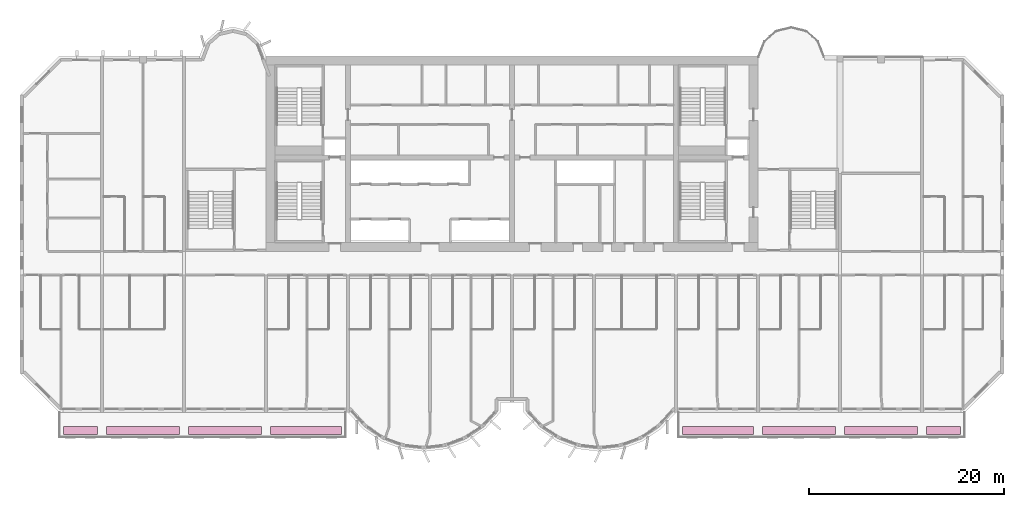
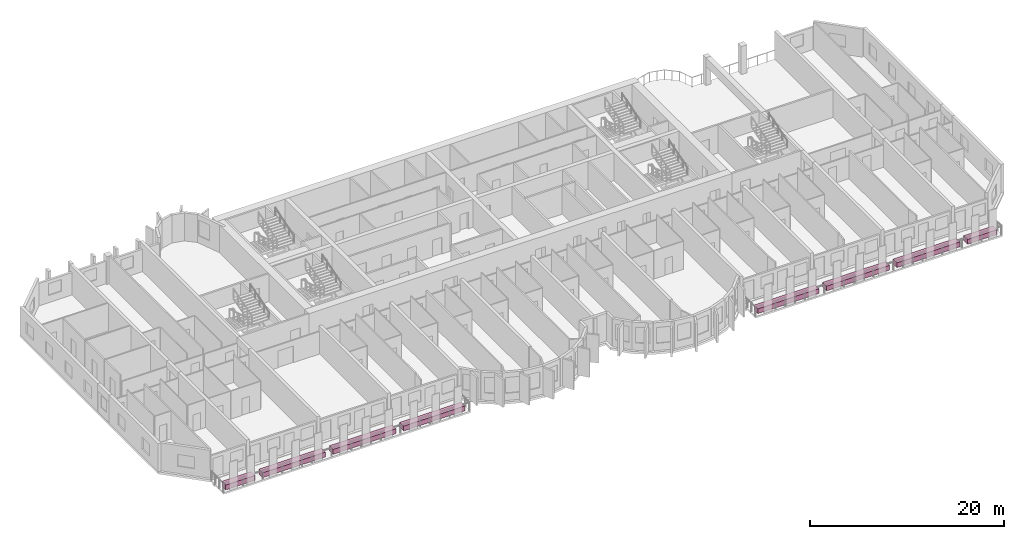
# One storey, part 15 of 15: 8 furniture elements.
"""IFC4 building model written with IfcOpenShell, lengths in metres."""

from ifc_helpers import new_model, si_unit, direction, frame, origin, origin_2d, place, context, subcontext, project, spatial, rectangle, extrude, source, transform, mapped, material, type_object, element, save


model = new_model("IFC4")

# Units and contexts
model_context = context("Model", 3, precision=1e-05, world=origin(), true_north=direction((0.0, 1.0)))
body_context = subcontext(model_context, "Body", "Model", "MODEL_VIEW")
ifc_project = project(units=[si_unit("LENGTHUNIT", "METRE"), si_unit("AREAUNIT", "SQUARE_METRE"), si_unit("VOLUMEUNIT", "CUBIC_METRE"), si_unit("PLANEANGLEUNIT", "RADIAN"), si_unit("MASSUNIT", "GRAM", prefix="KILO")], contexts=[model_context])

# Site, building, storey
site_placement = place(None, origin())
site = spatial("IfcSite", under=ifc_project, at=site_placement, CompositionType="ELEMENT")
building_placement = place(site_placement, origin())
building = spatial("IfcBuilding", under=site, at=building_placement, Name="Vanashikhar Sky Hotel", CompositionType="ELEMENT")
storey_placement = place(building_placement, frame((0.0, 0.0, 91.39990234375)))
storey = spatial("IfcBuildingStorey", under=building, at=storey_placement, Name="L21", CompositionType="ELEMENT", Elevation=91.39990234375)

# Furniture
ifc_material = material(Name="Planting soil and shrubs")
furniture_type = type_object("IfcFurnitureType", Name="Planter trough", AssemblyPlace="NOTDEFINED", PredefinedType="USERDEFINED", material=ifc_material)
shared_shape_1 = source(origin(), body_context, "Body", "SweptSolid", [
    extrude(rectangle(XDim=3.5, YDim=0.800048828125, at=origin_2d()), origin(), (0.0, 0.0, 1.0), 0.60009765625),
])
for number, where, z_axis, x_axis, name in (
    (1, (6.199951171875, 3.64990234375, -0.050048828125), (0.0, 0.0, 1.0), (1.0, 0.0, 0.0), "PLANTER with climbers"),
    (2, (94.60009765625, 3.64990234375, -0.050048828125), (0.0, 0.0, 1.0), (1.0, 0.0, 0.0), "PLANTER with climbers"),
):
    element("IfcFurniture", number, at=place(storey_placement, frame(where, z_axis=z_axis, x_axis=x_axis)), inside=storey, type_object=furniture_type, Name=name, ObjectType="PLANTER", PredefinedType="USERDEFINED", context=body_context, shape_type="MappedRepresentation", body=[
        mapped(shared_shape_1, transform((0.0, 0.0, 0.0), scale=1.0)),
    ])
shared_shape_2 = source(origin(), body_context, "Body", "SweptSolid", [
    extrude(rectangle(XDim=7.5, YDim=0.800048828125, at=origin_2d()), origin(), (0.0, 0.0, 1.0), 0.60009765625),
])
for number, where, z_axis, x_axis, name in (
    (3, (12.60009765625, 3.64990234375, -0.050048828125), (0.0, 0.0, 1.0), (1.0, 0.0, 0.0), "PLANTER with climbers"),
    (4, (21.0, 3.64990234375, -0.050048828125), (0.0, 0.0, 1.0), (1.0, 0.0, 0.0), "PLANTER with climbers"),
    (5, (79.800048828125, 3.64990234375, -0.050048828125), (0.0, 0.0, 1.0), (1.0, 0.0, 0.0), "PLANTER with climbers"),
    (6, (88.199951171875, 3.64990234375, -0.050048828125), (0.0, 0.0, 1.0), (1.0, 0.0, 0.0), "PLANTER with climbers"),
):
    element("IfcFurniture", number, at=place(storey_placement, frame(where, z_axis=z_axis, x_axis=x_axis)), inside=storey, type_object=furniture_type, Name=name, ObjectType="PLANTER", PredefinedType="USERDEFINED", context=body_context, shape_type="MappedRepresentation", body=[
        mapped(shared_shape_2, transform((0.0, 0.0, 0.0), scale=1.0)),
    ])
shared_shape_3 = source(origin(), body_context, "Body", "SweptSolid", [
    extrude(rectangle(XDim=7.300048828125, YDim=0.800048828125, at=origin_2d()), origin(), (0.0, 0.0, 1.0), 0.60009765625),
])
for number, where, z_axis, x_axis, name in (
    (7, (29.300048828125, 3.64990234375, -0.050048828125), (0.0, 0.0, 1.0), (1.0, 0.0, 0.0), "PLANTER with climbers"),
    (8, (71.5, 3.64990234375, -0.050048828125), (0.0, 0.0, 1.0), (1.0, 0.0, 0.0), "PLANTER with climbers"),
):
    element("IfcFurniture", number, at=place(storey_placement, frame(where, z_axis=z_axis, x_axis=x_axis)), inside=storey, type_object=furniture_type, Name=name, ObjectType="PLANTER", PredefinedType="USERDEFINED", context=body_context, shape_type="MappedRepresentation", body=[
        mapped(shared_shape_3, transform((0.0, 0.0, 0.0), scale=1.0)),
    ])

save(model, "model.ifc")
